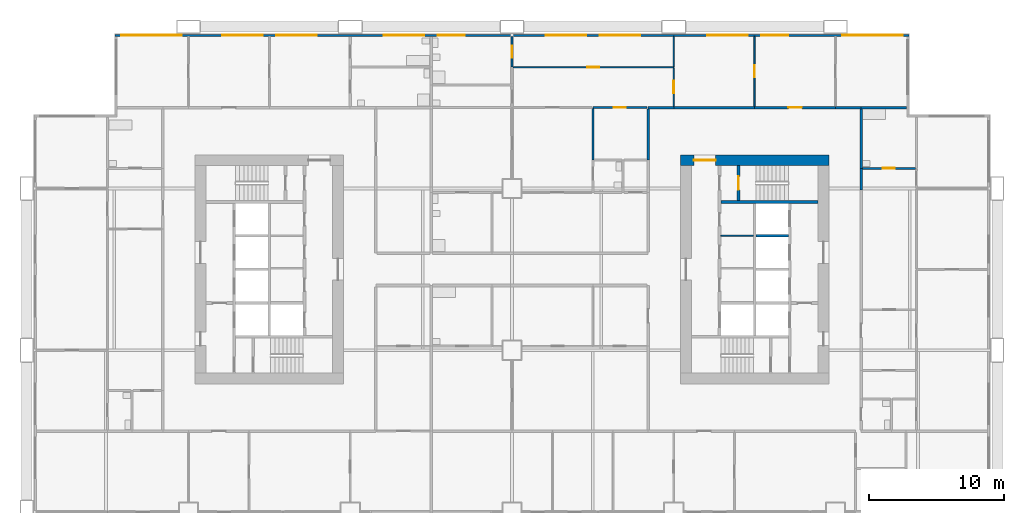
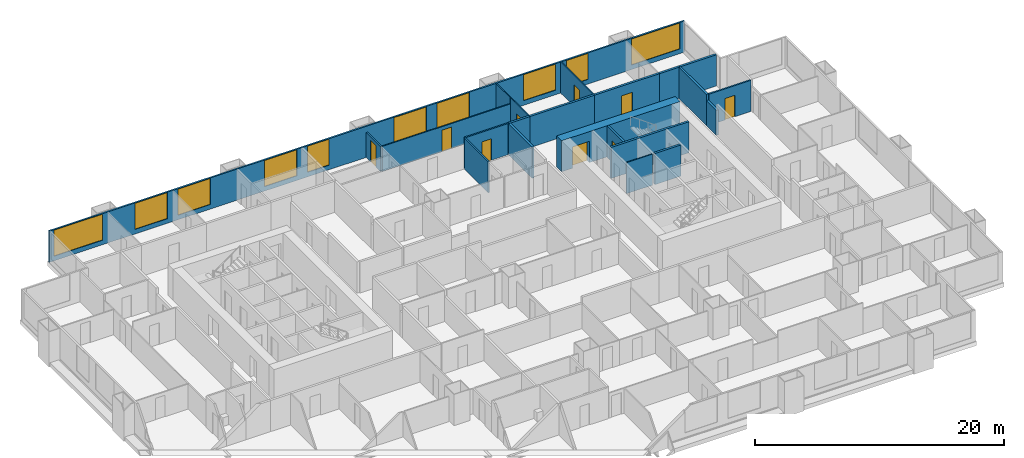
# One storey, part 9 of 13: 22 walls, 10 windows, 9 doors, 19 openings.
"""IFC4 building model written with IfcOpenShell, lengths in metres."""

from ifc_helpers import new_model, si_unit, direction, frame, frame_2d, origin, place, context, subcontext, project, spatial, rectangle, extrude, material, layer, layer_set, type_object, element, fill, save


model = new_model("IFC4")

# Units and contexts
model_context = context("Model", 3, precision=1e-05, world=origin(), true_north=direction((0.0, 1.0)))
body_context = subcontext(model_context, "Body", "Model", "MODEL_VIEW")
ifc_project = project(units=[si_unit("LENGTHUNIT", "METRE"), si_unit("AREAUNIT", "SQUARE_METRE"), si_unit("VOLUMEUNIT", "CUBIC_METRE"), si_unit("PLANEANGLEUNIT", "RADIAN"), si_unit("MASSUNIT", "GRAM", prefix="KILO")], contexts=[model_context])

# Site, building, storey
site_placement = place(None, origin())
site = spatial("IfcSite", under=ifc_project, at=site_placement, CompositionType="ELEMENT")
building_placement = place(site_placement, origin())
building = spatial("IfcBuilding", under=site, at=building_placement, Name="Kitamizu Gate Tower and Museum", CompositionType="ELEMENT")
storey_placement = place(building_placement, frame((0.0, 0.0, 47.25)))
storey = spatial("IfcBuildingStorey", under=building, at=storey_placement, Name="L10", CompositionType="ELEMENT", Elevation=47.25)

# Wall, opening, door
ifc_material_1 = material(Name="Concrete Fc60", Category="concrete")
ifc_layer_1 = layer(ifc_material_1, 0.800048828125)
ifc_layer_set_1 = layer_set([ifc_layer_1], Name="Concrete Fc60")
wall_type_1 = type_object("IfcWallType", Name="Core wall 800", PredefinedType="SHEAR", material=ifc_layer_set_1)
wall_1_placement = place(storey_placement, frame((59.5, 38.10009765625, 0.0), z_axis=(0.0, 0.0, 1.0), x_axis=(-1.0, 0.0, 0.0)))
wall_1 = element("IfcWall", 1, at=wall_1_placement, inside=storey, type_object=wall_type_1, Name="Core wall EN", PredefinedType="SHEAR", context=body_context, shape_type="SweptSolid", body=[
    extrude(rectangle(XDim=11.0, YDim=0.800048828125, at=frame_2d((5.5, 0.0))), origin(), (0.0, 0.0, 1.0), 3.050048828125),
])
opening_1_placement = place(wall_1_placement, frame((8.39990234375, 0.0, 0.0)))
opening_1 = element("IfcOpeningElement", 2, at=opening_1_placement, cuts=wall_1, Name="Opening L10-098", PredefinedType="OPENING", context=body_context, shape_type="SweptSolid", body=[
    extrude(rectangle(XDim=1.60009765625, YDim=2.10009765625, at=frame_2d((0.800048828125, 1.050048828125))), frame((0.0, 0.41015625, 0.0), z_axis=(0.0, -1.0, 0.0), x_axis=(1.0, 0.0, 0.0)), (0.0, 0.0, 1.0), 0.820068359375),
])
ifc_material_2 = material(Name="Timber door set", Category="wood")
door_type_1 = type_object("IfcDoorType", Name="Entrance door 1600", OperationType="DOUBLE_DOOR_SINGLE_SWING", PredefinedType="DOOR", material=ifc_material_2)
door_1_placement = place(opening_1_placement, origin())
door_1 = element("IfcDoor", 3, at=door_1_placement, inside=storey, type_object=door_type_1, Name="Lobby door L10-098", OperationType="DOUBLE_DOOR_SINGLE_SWING", OverallHeight=2.10009765625, OverallWidth=1.60009765625, PredefinedType="DOOR", context=body_context, shape_type="SweptSolid", body=[
    extrude(rectangle(XDim=1.60009765625, YDim=2.10009765625, at=frame_2d((0.800048828125, 1.050048828125))), frame((0.0, 0.02490234375, 0.0), z_axis=(0.0, -1.0, 0.0), x_axis=(1.0, 0.0, 0.0)), (0.0, 0.0, 1.0), 0.050048828125),
])
fill(opening_1, door_1)

# Wall
ifc_material_3 = material(Name="Gypsum board on galvanised stud")
ifc_layer_2 = layer(ifc_material_3, 0.10009765625)
ifc_layer_set_2 = layer_set([ifc_layer_2], Name="Gypsum board on galvanised stud")
wall_type_2 = type_object("IfcWallType", Name="Partition 100", PredefinedType="PARTITIONING", material=ifc_layer_set_2)
wall_2_placement = place(storey_placement, frame((53.89990234375, 32.490966796875, 0.0), z_axis=(0.0, 0.0, 1.0), x_axis=(-1.0, 0.0, 0.0)))
element("IfcWall", 4, at=wall_2_placement, inside=storey, type_object=wall_type_2, Name="Partition EPF2", PredefinedType="PARTITIONING", context=body_context, shape_type="SweptSolid", body=[
    extrude(rectangle(XDim=2.39990234375, YDim=0.10009765625, at=frame_2d((1.199951171875, 0.0))), origin(), (0.0, 0.0, 1.0), 3.050048828125),
])

# Wall, opening, door
ifc_material_4 = material(Name="Gypsum board on galvanised stud")
ifc_layer_3 = layer(ifc_material_4, 0.10009765625)
ifc_layer_set_3 = layer_set([ifc_layer_3], Name="Gypsum board on galvanised stud")
wall_type_3 = type_object("IfcWallType", Name="Partition 100 NOT RATED", PredefinedType="PARTITIONING", material=ifc_layer_set_3)
wall_3_placement = place(storey_placement, frame((48.0, 45.0, 0.0), z_axis=(0.0, 0.0, 1.0), x_axis=(-1.0, 0.0, 0.0)))
wall_3 = element("IfcWall", 5, at=wall_3_placement, inside=storey, type_object=wall_type_3, Name="Partition L10-158", PredefinedType="PARTITIONING", context=body_context, shape_type="SweptSolid", body=[
    extrude(rectangle(XDim=11.925048828125, YDim=0.10009765625, at=frame_2d((5.96240234375, 0.0))), origin(), (0.0, 0.0, 1.0), 2.449951171875),
])
opening_2_placement = place(wall_3_placement, frame((5.512451171875, 0.0, 0.0)))
opening_2 = element("IfcOpeningElement", 6, at=opening_2_placement, cuts=wall_3, Name="Opening L10-059", PredefinedType="OPENING", context=body_context, shape_type="SweptSolid", body=[
    extrude(rectangle(XDim=0.89990234375, YDim=2.10009765625, at=frame_2d((0.449951171875, 1.050048828125))), frame((0.0, 0.06005859375, 0.0), z_axis=(0.0, -1.0, 0.0), x_axis=(1.0, 0.0, 0.0)), (0.0, 0.0, 1.0), 0.1201171875),
])
ifc_material_5 = material(Name="Timber door set", Category="wood")
door_type_2 = type_object("IfcDoorType", Name="Room door 900", OperationType="NOTDEFINED", PredefinedType="DOOR", material=ifc_material_5)
door_2_placement = place(opening_2_placement, frame((0.89990234375, 0.0, 0.0), x_axis=(-1.0, 0.0, 0.0)))
door_2 = element("IfcDoor", 7, at=door_2_placement, inside=storey, type_object=door_type_2, Name="Door L10-059", OperationType="SINGLE_SWING_LEFT", OverallHeight=2.10009765625, OverallWidth=0.89990234375, PredefinedType="DOOR", context=body_context, shape_type="SweptSolid", body=[
    extrude(rectangle(XDim=0.89990234375, YDim=2.10009765625, at=frame_2d((0.449951171875, 1.050048828125))), frame((0.0, 0.02490234375, 0.0), z_axis=(0.0, -1.0, 0.0), x_axis=(1.0, 0.0, 0.0)), (0.0, 0.0, 1.0), 0.050048828125),
])
fill(opening_2, door_2)

wall_4_placement = place(storey_placement, frame((48.0, 42.10009765625, 0.0), z_axis=(0.0, 0.0, 1.0), x_axis=(0.0, 1.0, 0.0)))
wall_4 = element("IfcWall", 8, at=wall_4_placement, inside=storey, type_object=wall_type_3, Name="Partition L10-159", PredefinedType="PARTITIONING", context=body_context, shape_type="SweptSolid", body=[
    extrude(rectangle(XDim=2.849853515625, YDim=0.10009765625, at=frame_2d((1.4248046875, 0.0))), origin(), (0.0, 0.0, 1.0), 3.050048828125),
])
opening_3_placement = place(wall_4_placement, frame((0.97509765625, 0.0, 0.0)))
opening_3 = element("IfcOpeningElement", 9, at=opening_3_placement, cuts=wall_4, Name="Opening L10-058", PredefinedType="OPENING", context=body_context, shape_type="SweptSolid", body=[
    extrude(rectangle(XDim=0.89990234375, YDim=2.10009765625, at=frame_2d((0.449951171875, 1.050048828125))), frame((0.0, 0.06005859375, 0.0), z_axis=(0.0, -1.0, 0.0), x_axis=(1.0, 0.0, 0.0)), (0.0, 0.0, 1.0), 0.1201171875),
])
door_3_placement = place(opening_3_placement, frame((0.89990234375, 0.0, 0.0), x_axis=(-1.0, 0.0, 0.0)))
door_3 = element("IfcDoor", 10, at=door_3_placement, inside=storey, type_object=door_type_2, Name="Door L10-058", OperationType="SINGLE_SWING_LEFT", OverallHeight=2.10009765625, OverallWidth=0.89990234375, PredefinedType="DOOR", context=body_context, shape_type="SweptSolid", body=[
    extrude(rectangle(XDim=0.89990234375, YDim=2.10009765625, at=frame_2d((0.449951171875, 1.050048828125))), frame((0.0, 0.02490234375, 0.0), z_axis=(0.0, -1.0, 0.0), x_axis=(1.0, 0.0, 0.0)), (0.0, 0.0, 1.0), 0.050048828125),
])
fill(opening_3, door_3)

# Wall
wall_5_placement = place(storey_placement, frame((48.0, 45.050048828125, 0.0), z_axis=(0.0, 0.0, 1.0), x_axis=(0.0, 1.0, 0.0)))
element("IfcWall", 11, at=wall_5_placement, inside=storey, type_object=wall_type_3, Name="Partition L10-163", PredefinedType="PARTITIONING", context=body_context, shape_type="SweptSolid", body=[
    extrude(rectangle(XDim=2.22998046875, YDim=0.10009765625, at=frame_2d((1.114990234375, 0.0))), origin(), (0.0, 0.0, 1.0), 3.050048828125),
])

# Wall, opening, door
wall_6_placement = place(storey_placement, frame((54.0, 42.10009765625, 0.0), z_axis=(0.0, 0.0, 1.0), x_axis=(0.0, 1.0, 0.0)))
wall_6 = element("IfcWall", 12, at=wall_6_placement, inside=storey, type_object=wall_type_3, Name="Partition L10-164", PredefinedType="PARTITIONING", context=body_context, shape_type="SweptSolid", body=[
    extrude(rectangle(XDim=5.179931640625, YDim=0.10009765625, at=frame_2d((2.58984375, 0.0))), origin(), (0.0, 0.0, 1.0), 3.050048828125),
])
opening_4_placement = place(wall_6_placement, frame((2.139892578125, 0.0, 0.0)))
opening_4 = element("IfcOpeningElement", 13, at=opening_4_placement, cuts=wall_6, Name="Opening L10-057", PredefinedType="OPENING", context=body_context, shape_type="SweptSolid", body=[
    extrude(rectangle(XDim=0.89990234375, YDim=2.10009765625, at=frame_2d((0.449951171875, 1.050048828125))), frame((0.0, 0.06005859375, 0.0), z_axis=(0.0, -1.0, 0.0), x_axis=(1.0, 0.0, 0.0)), (0.0, 0.0, 1.0), 0.1201171875),
])
door_4_placement = place(opening_4_placement, origin())
door_4 = element("IfcDoor", 14, at=door_4_placement, inside=storey, type_object=door_type_2, Name="Door L10-057", OperationType="SINGLE_SWING_LEFT", OverallHeight=2.10009765625, OverallWidth=0.89990234375, PredefinedType="DOOR", context=body_context, shape_type="SweptSolid", body=[
    extrude(rectangle(XDim=0.89990234375, YDim=2.10009765625, at=frame_2d((0.449951171875, 1.050048828125))), frame((0.0, 0.02490234375, 0.0), z_axis=(0.0, -1.0, 0.0), x_axis=(1.0, 0.0, 0.0)), (0.0, 0.0, 1.0), 0.050048828125),
])
fill(opening_4, door_4)

ifc_material_6 = material(Name="Gypsum board on galvanised stud")
ifc_layer_4 = layer(ifc_material_6, 0.14990234375)
ifc_layer_set_4 = layer_set([ifc_layer_4], Name="Gypsum board on galvanised stud")
wall_type_4 = type_object("IfcWallType", Name="Partition 150", PredefinedType="PARTITIONING", material=ifc_layer_set_4)
wall_7_placement = place(storey_placement, frame((36.0, 45.0, 0.0), z_axis=(0.0, 0.0, 1.0), x_axis=(0.0, 1.0, 0.0)))
wall_7 = element("IfcWall", 15, at=wall_7_placement, inside=storey, type_object=wall_type_4, Name="Partition L10-155", PredefinedType="PARTITIONING", context=body_context, shape_type="SweptSolid", body=[
    extrude(rectangle(XDim=2.280029296875, YDim=0.14990234375, at=frame_2d((1.14013671875, 0.0))), origin(), (0.0, 0.0, 1.0), 2.449951171875),
])
opening_5_placement = place(wall_7_placement, frame((0.68994140625, 0.0, 0.0)))
opening_5 = element("IfcOpeningElement", 16, at=opening_5_placement, cuts=wall_7, Name="Opening L10-064", PredefinedType="OPENING", context=body_context, shape_type="SweptSolid", body=[
    extrude(rectangle(XDim=0.89990234375, YDim=2.10009765625, at=frame_2d((0.449951171875, 1.050048828125))), frame((0.0, 0.0849609375, 0.0), z_axis=(0.0, -1.0, 0.0), x_axis=(1.0, 0.0, 0.0)), (0.0, 0.0, 1.0), 0.169921875),
])
ifc_material_7 = material(Name="Timber door set", Category="wood")
door_type_3 = type_object("IfcDoorType", Name="Bathroom door 900", OperationType="NOTDEFINED", PredefinedType="DOOR", material=ifc_material_7)
door_5_placement = place(opening_5_placement, origin())
door_5 = element("IfcDoor", 17, at=door_5_placement, inside=storey, type_object=door_type_3, Name="Bathroom door L10-064", OperationType="SINGLE_SWING_LEFT", OverallHeight=2.10009765625, OverallWidth=0.89990234375, PredefinedType="DOOR", context=body_context, shape_type="SweptSolid", body=[
    extrude(rectangle(XDim=0.89990234375, YDim=2.10009765625, at=frame_2d((0.449951171875, 1.050048828125))), frame((0.0, 0.02490234375, 0.0), z_axis=(0.0, -1.0, 0.0), x_axis=(1.0, 0.0, 0.0)), (0.0, 0.0, 1.0), 0.050048828125),
])
fill(opening_5, door_5)

wall_8_placement = place(storey_placement, frame((42.0, 42.0, 0.0), z_axis=(0.0, 0.0, 1.0), x_axis=(1.0, 0.0, 0.0)))
wall_8 = element("IfcWall", 18, at=wall_8_placement, inside=storey, type_object=wall_type_4, Name="Partition L10-161", PredefinedType="PARTITIONING", context=body_context, shape_type="SweptSolid", body=[
    extrude(rectangle(XDim=4.0, YDim=0.14990234375, at=frame_2d((2.0, 0.0))), origin(), (0.0, 0.0, 1.0), 3.050048828125),
])
opening_6_placement = place(wall_8_placement, frame((1.550048828125, 0.0, 0.0)))
opening_6 = element("IfcOpeningElement", 19, at=opening_6_placement, cuts=wall_8, Name="Opening L10-062", PredefinedType="OPENING", context=body_context, shape_type="SweptSolid", body=[
    extrude(rectangle(XDim=0.89990234375, YDim=2.10009765625, at=frame_2d((0.449951171875, 1.050048828125))), frame((0.0, 0.0849609375, 0.0), z_axis=(0.0, -1.0, 0.0), x_axis=(1.0, 0.0, 0.0)), (0.0, 0.0, 1.0), 0.169921875),
])
door_6_placement = place(opening_6_placement, frame((0.89990234375, 0.0, 0.0), x_axis=(-1.0, 0.0, 0.0)))
door_6 = element("IfcDoor", 20, at=door_6_placement, inside=storey, type_object=door_type_3, Name="Bathroom door L10-062", OperationType="SINGLE_SWING_LEFT", OverallHeight=2.10009765625, OverallWidth=0.89990234375, PredefinedType="DOOR", context=body_context, shape_type="SweptSolid", body=[
    extrude(rectangle(XDim=0.89990234375, YDim=2.10009765625, at=frame_2d((0.449951171875, 1.050048828125))), frame((0.0, 0.02490234375, 0.0), z_axis=(0.0, -1.0, 0.0), x_axis=(1.0, 0.0, 0.0)), (0.0, 0.0, 1.0), 0.050048828125),
])
fill(opening_6, door_6)

# Wall
wall_9_placement = place(storey_placement, frame((42.0, 38.10009765625, 0.0), z_axis=(0.0, 0.0, 1.0), x_axis=(0.0, 1.0, 0.0)))
element("IfcWall", 21, at=wall_9_placement, inside=storey, type_object=wall_type_4, Name="Partition L10-175", PredefinedType="PARTITIONING", context=body_context, shape_type="SweptSolid", body=[
    extrude(rectangle(XDim=3.824951171875, YDim=0.14990234375, at=frame_2d((1.91259765625, 0.0))), origin(), (0.0, 0.0, 1.0), 3.050048828125),
])

# Wall, opening, door
wall_10_placement = place(storey_placement, frame((65.925048828125, 37.5, 0.0), z_axis=(0.0, 0.0, 1.0), x_axis=(-1.0, 0.0, 0.0)))
wall_10 = element("IfcWall", 22, at=wall_10_placement, inside=storey, type_object=wall_type_4, Name="Partition L10-210", PredefinedType="PARTITIONING", context=body_context, shape_type="SweptSolid", body=[
    extrude(rectangle(XDim=3.925048828125, YDim=0.14990234375, at=frame_2d((1.96240234375, 0.0))), origin(), (0.0, 0.0, 1.0), 3.050048828125),
])
opening_7_placement = place(wall_10_placement, frame((1.512451171875, 0.0, 0.0)))
opening_7 = element("IfcOpeningElement", 23, at=opening_7_placement, cuts=wall_10, Name="Opening L10-076", PredefinedType="OPENING", context=body_context, shape_type="SweptSolid", body=[
    extrude(rectangle(XDim=0.89990234375, YDim=2.10009765625, at=frame_2d((0.449951171875, 1.050048828125))), frame((0.0, 0.0849609375, 0.0), z_axis=(0.0, -1.0, 0.0), x_axis=(1.0, 0.0, 0.0)), (0.0, 0.0, 1.0), 0.169921875),
])
door_7_placement = place(opening_7_placement, frame((0.89990234375, 0.0, 0.0), x_axis=(-1.0, 0.0, 0.0)))
door_7 = element("IfcDoor", 24, at=door_7_placement, inside=storey, type_object=door_type_3, Name="Bathroom door L10-076", OperationType="SINGLE_SWING_RIGHT", OverallHeight=2.10009765625, OverallWidth=0.89990234375, PredefinedType="DOOR", context=body_context, shape_type="SweptSolid", body=[
    extrude(rectangle(XDim=0.89990234375, YDim=2.10009765625, at=frame_2d((0.449951171875, 1.050048828125))), frame((0.0, 0.02490234375, 0.0), z_axis=(0.0, -1.0, 0.0), x_axis=(1.0, 0.0, 0.0)), (0.0, 0.0, 1.0), 0.050048828125),
])
fill(opening_7, door_7)

# Walls
ifc_material_8 = material(Name="Gypsum board on galvanised stud")
ifc_layer_5 = layer(ifc_material_8, 0.199951171875)
ifc_layer_set_5 = layer_set([ifc_layer_5], Name="Gypsum board on galvanised stud")
wall_type_5 = type_object("IfcWallType", Name="Partition 200", PredefinedType="PARTITIONING", material=ifc_layer_set_5)
wall_11_placement = place(storey_placement, frame((46.10009765625, 42.0, 0.0), z_axis=(0.0, 0.0, 1.0), x_axis=(1.0, 0.0, 0.0)))
element("IfcWall", 25, at=wall_11_placement, inside=storey, type_object=wall_type_5, Name="Partition L10-162", PredefinedType="PARTITIONING", context=body_context, shape_type="SweptSolid", body=[
    extrude(rectangle(XDim=1.89990234375, YDim=0.199951171875, at=frame_2d((0.949951171875, 0.0))), origin(), (0.0, 0.0, 1.0), 3.050048828125),
])
wall_12_placement = place(storey_placement, frame((48.0, 42.0, 0.0), z_axis=(0.0, 0.0, 1.0), x_axis=(1.0, 0.0, 0.0)))
element("IfcWall", 26, at=wall_12_placement, inside=storey, type_object=wall_type_5, Name="Partition L10-165", PredefinedType="PARTITIONING", context=body_context, shape_type="SweptSolid", body=[
    extrude(rectangle(XDim=6.0, YDim=0.199951171875, at=frame_2d((3.0, 0.0))), origin(), (0.0, 0.0, 1.0), 3.050048828125),
])

# Wall, opening, door
wall_13_placement = place(storey_placement, frame((54.0, 42.0, 0.0), z_axis=(0.0, 0.0, 1.0), x_axis=(1.0, 0.0, 0.0)))
wall_13 = element("IfcWall", 27, at=wall_13_placement, inside=storey, type_object=wall_type_5, Name="Partition L10-167", PredefinedType="PARTITIONING", context=body_context, shape_type="SweptSolid", body=[
    extrude(rectangle(XDim=6.0, YDim=0.199951171875, at=frame_2d((3.0, 0.0))), origin(), (0.0, 0.0, 1.0), 3.050048828125),
])
opening_8_placement = place(wall_13_placement, frame((2.5, 0.0, 0.0)))
opening_8 = element("IfcOpeningElement", 28, at=opening_8_placement, cuts=wall_13, Name="Opening L10-055", PredefinedType="OPENING", context=body_context, shape_type="SweptSolid", body=[
    extrude(rectangle(XDim=1.0, YDim=2.10009765625, at=frame_2d((0.5, 1.050048828125))), frame((0.0, 0.10986328125, 0.0), z_axis=(0.0, -1.0, 0.0), x_axis=(1.0, 0.0, 0.0)), (0.0, 0.0, 1.0), 0.219970703125),
])
ifc_material_9 = material(Name="Timber door set", Category="wood")
door_type_4 = type_object("IfcDoorType", Name="Flat entrance door 1000", OperationType="NOTDEFINED", PredefinedType="DOOR", material=ifc_material_9)
door_8_placement = place(opening_8_placement, origin())
door_8 = element("IfcDoor", 29, at=door_8_placement, inside=storey, type_object=door_type_4, Name="Flat entrance door L10-055", OperationType="SINGLE_SWING_LEFT", OverallHeight=2.10009765625, OverallWidth=1.0, PredefinedType="DOOR", context=body_context, shape_type="SweptSolid", body=[
    extrude(rectangle(XDim=1.0, YDim=2.10009765625, at=frame_2d((0.5, 1.050048828125))), frame((0.0, 0.02490234375, 0.0), z_axis=(0.0, -1.0, 0.0), x_axis=(1.0, 0.0, 0.0)), (0.0, 0.0, 1.0), 0.050048828125),
])
fill(opening_8, door_8)

# Walls
wall_14_placement = place(storey_placement, frame((61.89990234375, 42.0, 0.0), z_axis=(0.0, 0.0, 1.0), x_axis=(1.0, 0.0, 0.0)))
element("IfcWall", 30, at=wall_14_placement, inside=storey, type_object=wall_type_5, Name="Partition L10-168", PredefinedType="PARTITIONING", context=body_context, shape_type="SweptSolid", body=[
    extrude(rectangle(XDim=3.380126953125, YDim=0.199951171875, at=frame_2d((1.68994140625, 0.0))), origin(), (0.0, 0.0, 1.0), 3.050048828125),
])
wall_15_placement = place(storey_placement, frame((60.0, 42.0, 0.0), z_axis=(0.0, 0.0, 1.0), x_axis=(1.0, 0.0, 0.0)))
element("IfcWall", 31, at=wall_15_placement, inside=storey, type_object=wall_type_5, Name="Partition L10-169", PredefinedType="PARTITIONING", context=body_context, shape_type="SweptSolid", body=[
    extrude(rectangle(XDim=1.89990234375, YDim=0.199951171875, at=frame_2d((0.949951171875, 0.0))), origin(), (0.0, 0.0, 1.0), 3.050048828125),
])
wall_16_placement = place(storey_placement, frame((46.10009765625, 38.10009765625, 0.0), z_axis=(0.0, 0.0, 1.0), x_axis=(0.0, 1.0, 0.0)))
element("IfcWall", 32, at=wall_16_placement, inside=storey, type_object=wall_type_5, Name="Partition L10-185", PredefinedType="PARTITIONING", context=body_context, shape_type="SweptSolid", body=[
    extrude(rectangle(XDim=3.7998046875, YDim=0.199951171875, at=frame_2d((1.89990234375, 0.0))), origin(), (0.0, 0.0, 1.0), 3.050048828125),
])
wall_17_placement = place(storey_placement, frame((61.89990234375, 37.5, 0.0), z_axis=(0.0, 0.0, 1.0), x_axis=(0.0, -1.0, 0.0)))
element("IfcWall", 33, at=wall_17_placement, inside=storey, type_object=wall_type_5, Name="Partition L10-211", PredefinedType="PARTITIONING", context=body_context, shape_type="SweptSolid", body=[
    extrude(rectangle(XDim=1.60009765625, YDim=0.199951171875, at=frame_2d((0.800048828125, 0.0))), origin(), (0.0, 0.0, 1.0), 2.449951171875),
])
wall_18_placement = place(storey_placement, frame((61.89990234375, 41.89990234375, 0.0), z_axis=(0.0, 0.0, 1.0), x_axis=(0.0, -1.0, 0.0)))
element("IfcWall", 34, at=wall_18_placement, inside=storey, type_object=wall_type_5, Name="Partition L10-213", PredefinedType="PARTITIONING", context=body_context, shape_type="SweptSolid", body=[
    extrude(rectangle(XDim=4.39990234375, YDim=0.199951171875, at=frame_2d((2.199951171875, 0.0))), origin(), (0.0, 0.0, 1.0), 3.050048828125),
])
ifc_material_10 = material(Name="Concrete Fc42", Category="concrete")
ifc_layer_6 = layer(ifc_material_10, 0.199951171875)
ifc_layer_set_6 = layer_set([ifc_layer_6], Name="Concrete Fc42")
wall_type_6 = type_object("IfcWallType", Name="Shaft wall 200", PredefinedType="SOLIDWALL", material=ifc_layer_set_6)
wall_19_placement = place(storey_placement, frame((58.699951171875, 35.0, 0.0), z_axis=(0.0, 0.0, 1.0), x_axis=(-1.0, 0.0, 0.0)))
element("IfcWall", 35, at=wall_19_placement, inside=storey, type_object=wall_type_6, Name="Shaft wall ENB", PredefinedType="SOLIDWALL", context=body_context, shape_type="SweptSolid", body=[
    extrude(rectangle(XDim=7.199951171875, YDim=0.199951171875, at=frame_2d((3.60009765625, 0.0))), origin(), (0.0, 0.0, 1.0), 3.050048828125),
])

# Wall, opening, door
wall_20_placement = place(storey_placement, frame((52.800048828125, 35.10009765625, 0.0), z_axis=(0.0, 0.0, 1.0), x_axis=(0.0, 1.0, 0.0)))
wall_20 = element("IfcWall", 36, at=wall_20_placement, inside=storey, type_object=wall_type_6, Name="Shaft wall ENZ", PredefinedType="SOLIDWALL", context=body_context, shape_type="SweptSolid", body=[
    extrude(rectangle(XDim=2.599853515625, YDim=0.199951171875, at=frame_2d((1.2998046875, 0.0))), origin(), (0.0, 0.0, 1.0), 3.050048828125),
])
opening_9_placement = place(wall_20_placement, frame((0.800048828125, 0.0, 0.0)))
opening_9 = element("IfcOpeningElement", 37, at=opening_9_placement, cuts=wall_20, Name="Opening L10-094", PredefinedType="OPENING", context=body_context, shape_type="SweptSolid", body=[
    extrude(rectangle(XDim=1.0, YDim=2.10009765625, at=frame_2d((0.5, 1.050048828125))), frame((0.0, 0.10986328125, 0.0), z_axis=(0.0, -1.0, 0.0), x_axis=(1.0, 0.0, 0.0)), (0.0, 0.0, 1.0), 0.219970703125),
])
ifc_material_11 = material(Name="Hollow metal door set")
door_type_5 = type_object("IfcDoorType", Name="Fire door 1000", OperationType="NOTDEFINED", PredefinedType="DOOR", material=ifc_material_11)
door_9_placement = place(opening_9_placement, frame((1.0, 0.0, 0.0), x_axis=(-1.0, 0.0, 0.0)))
door_9 = element("IfcDoor", 38, at=door_9_placement, inside=storey, type_object=door_type_5, Name="Stair door L10-094", OperationType="SINGLE_SWING_LEFT", OverallHeight=2.10009765625, OverallWidth=1.0, PredefinedType="DOOR", context=body_context, shape_type="SweptSolid", body=[
    extrude(rectangle(XDim=1.0, YDim=2.10009765625, at=frame_2d((0.5, 1.050048828125))), frame((0.0, 0.02490234375, 0.0), z_axis=(0.0, -1.0, 0.0), x_axis=(1.0, 0.0, 0.0)), (0.0, 0.0, 1.0), 0.050048828125),
])
fill(opening_9, door_9)

# Wall
wall_21_placement = place(storey_placement, frame((56.5, 32.5, 0.0), z_axis=(0.0, 0.0, 1.0), x_axis=(-1.0, 0.0, 0.0)))
element("IfcWall", 39, at=wall_21_placement, inside=storey, type_object=wall_type_6, Name="Shaft wall EDVW2", PredefinedType="SOLIDWALL", context=body_context, shape_type="SweptSolid", body=[
    extrude(rectangle(XDim=2.39990234375, YDim=0.199951171875, at=frame_2d((1.199951171875, 0.0))), origin(), (0.0, 0.0, 1.0), 3.050048828125),
])

# Wall, openings, windows
ifc_material_12 = material(Name="Bronze anodised aluminium frame with insulated spandrel and tinted glass", Category="aluminium")
ifc_layer_7 = layer(ifc_material_12, 0.14990234375)
ifc_layer_set_7 = layer_set([ifc_layer_7], Name="Bronze anodised aluminium frame with insulated spandrel and tinted glass")
wall_type_7 = type_object("IfcWallType", Name="WINDOW WALL 150 BRONZE FRAME EI 30", PredefinedType="ELEMENTEDWALL", material=ifc_layer_set_7)
wall_22_placement = place(storey_placement, frame((6.56005859375, 47.364990234375, 0.0), z_axis=(0.0, 0.0, 1.0), x_axis=(1.0, 0.0, 0.0)))
wall_22 = element("IfcWall", 40, at=wall_22_placement, inside=storey, type_object=wall_type_7, Name="Window wall north L10", PredefinedType="ELEMENTEDWALL", context=body_context, shape_type="SweptSolid", body=[
    extrude(rectangle(XDim=58.8798828125, YDim=0.14990234375, at=frame_2d((29.43994140625, 0.0))), origin(), (0.0, 0.0, 1.0), 3.050048828125),
])
opening_10_placement = place(wall_22_placement, frame((0.43994140625, 0.0, 0.449951171875)))
opening_10 = element("IfcOpeningElement", 41, at=opening_10_placement, cuts=wall_22, Name="Opening W15", PredefinedType="OPENING", context=body_context, shape_type="SweptSolid", body=[
    extrude(rectangle(XDim=4.5, YDim=2.550048828125, at=frame_2d((2.25, 1.27490234375))), frame((0.0, 0.0849609375, 0.0), z_axis=(0.0, -1.0, 0.0), x_axis=(1.0, 0.0, 0.0)), (0.0, 0.0, 1.0), 0.169921875),
])
opening_11_placement = place(wall_22_placement, frame((7.93994140625, 0.0, 0.449951171875)))
opening_11 = element("IfcOpeningElement", 42, at=opening_11_placement, cuts=wall_22, Name="Opening W33", PredefinedType="OPENING", context=body_context, shape_type="SweptSolid", body=[
    extrude(rectangle(XDim=3.0, YDim=2.550048828125, at=frame_2d((1.5, 1.27490234375))), frame((0.0, 0.0849609375, 0.0), z_axis=(0.0, -1.0, 0.0), x_axis=(1.0, 0.0, 0.0)), (0.0, 0.0, 1.0), 0.169921875),
])
opening_12_placement = place(wall_22_placement, frame((11.93994140625, 0.0, 0.449951171875)))
opening_12 = element("IfcOpeningElement", 43, at=opening_12_placement, cuts=wall_22, Name="Opening W33", PredefinedType="OPENING", context=body_context, shape_type="SweptSolid", body=[
    extrude(rectangle(XDim=3.0, YDim=2.550048828125, at=frame_2d((1.5, 1.27490234375))), frame((0.0, 0.0849609375, 0.0), z_axis=(0.0, -1.0, 0.0), x_axis=(1.0, 0.0, 0.0)), (0.0, 0.0, 1.0), 0.169921875),
])
opening_13_placement = place(wall_22_placement, frame((19.93994140625, 0.0, 0.449951171875)))
opening_13 = element("IfcOpeningElement", 44, at=opening_13_placement, cuts=wall_22, Name="Opening W33", PredefinedType="OPENING", context=body_context, shape_type="SweptSolid", body=[
    extrude(rectangle(XDim=3.0, YDim=2.550048828125, at=frame_2d((1.5, 1.27490234375))), frame((0.0, 0.0849609375, 0.0), z_axis=(0.0, -1.0, 0.0), x_axis=(1.0, 0.0, 0.0)), (0.0, 0.0, 1.0), 0.169921875),
])
opening_14_placement = place(wall_22_placement, frame((23.93994140625, 0.0, 0.449951171875)))
opening_14 = element("IfcOpeningElement", 45, at=opening_14_placement, cuts=wall_22, Name="Opening W2", PredefinedType="OPENING", context=body_context, shape_type="SweptSolid", body=[
    extrude(rectangle(XDim=2.0, YDim=2.550048828125, at=frame_2d((1.0, 1.27490234375))), frame((0.0, 0.0849609375, 0.0), z_axis=(0.0, -1.0, 0.0), x_axis=(1.0, 0.0, 0.0)), (0.0, 0.0, 1.0), 0.169921875),
])
opening_15_placement = place(wall_22_placement, frame((31.93994140625, 0.0, 0.449951171875)))
opening_15 = element("IfcOpeningElement", 46, at=opening_15_placement, cuts=wall_22, Name="Opening W33", PredefinedType="OPENING", context=body_context, shape_type="SweptSolid", body=[
    extrude(rectangle(XDim=3.0, YDim=2.550048828125, at=frame_2d((1.5, 1.27490234375))), frame((0.0, 0.0849609375, 0.0), z_axis=(0.0, -1.0, 0.0), x_axis=(1.0, 0.0, 0.0)), (0.0, 0.0, 1.0), 0.169921875),
])
opening_16_placement = place(wall_22_placement, frame((35.93994140625, 0.0, 0.449951171875)))
opening_16 = element("IfcOpeningElement", 47, at=opening_16_placement, cuts=wall_22, Name="Opening W33", PredefinedType="OPENING", context=body_context, shape_type="SweptSolid", body=[
    extrude(rectangle(XDim=3.0, YDim=2.550048828125, at=frame_2d((1.5, 1.27490234375))), frame((0.0, 0.0849609375, 0.0), z_axis=(0.0, -1.0, 0.0), x_axis=(1.0, 0.0, 0.0)), (0.0, 0.0, 1.0), 0.169921875),
])
opening_17_placement = place(wall_22_placement, frame((43.93994140625, 0.0, 0.449951171875)))
opening_17 = element("IfcOpeningElement", 48, at=opening_17_placement, cuts=wall_22, Name="Opening W33", PredefinedType="OPENING", context=body_context, shape_type="SweptSolid", body=[
    extrude(rectangle(XDim=3.0, YDim=2.550048828125, at=frame_2d((1.5, 1.27490234375))), frame((0.0, 0.0849609375, 0.0), z_axis=(0.0, -1.0, 0.0), x_axis=(1.0, 0.0, 0.0)), (0.0, 0.0, 1.0), 0.169921875),
])
opening_18_placement = place(wall_22_placement, frame((47.93994140625, 0.0, 0.449951171875)))
opening_18 = element("IfcOpeningElement", 49, at=opening_18_placement, cuts=wall_22, Name="Opening W2", PredefinedType="OPENING", context=body_context, shape_type="SweptSolid", body=[
    extrude(rectangle(XDim=2.0, YDim=2.550048828125, at=frame_2d((1.0, 1.27490234375))), frame((0.0, 0.0849609375, 0.0), z_axis=(0.0, -1.0, 0.0), x_axis=(1.0, 0.0, 0.0)), (0.0, 0.0, 1.0), 0.169921875),
])
opening_19_placement = place(wall_22_placement, frame((53.93994140625, 0.0, 0.449951171875)))
opening_19 = element("IfcOpeningElement", 50, at=opening_19_placement, cuts=wall_22, Name="Opening W15", PredefinedType="OPENING", context=body_context, shape_type="SweptSolid", body=[
    extrude(rectangle(XDim=4.5, YDim=2.550048828125, at=frame_2d((2.25, 1.27490234375))), frame((0.0, 0.0849609375, 0.0), z_axis=(0.0, -1.0, 0.0), x_axis=(1.0, 0.0, 0.0)), (0.0, 0.0, 1.0), 0.169921875),
])
ifc_material_13 = material(Name="Bronze anodised aluminium frame, tinted triple glazing", Category="aluminium")
window_type_1 = type_object("IfcWindowType", Name="WINDOW 2000 x 2550 SILL 450", PartitioningType="SINGLE_PANEL", PredefinedType="WINDOW", material=ifc_material_13)
window_1_placement = place(opening_14_placement, origin())
window_1 = element("IfcWindow", 51, at=window_1_placement, inside=storey, type_object=window_type_1, Name="Window W2 L10", OverallHeight=2.550048828125, OverallWidth=2.0, PartitioningType="SINGLE_PANEL", PredefinedType="WINDOW", context=body_context, shape_type="SweptSolid", body=[
    extrude(rectangle(XDim=2.0, YDim=2.550048828125, at=frame_2d((1.0, 1.27490234375))), frame((0.0, 0.030029296875, 0.0), z_axis=(0.0, -1.0, 0.0), x_axis=(1.0, 0.0, 0.0)), (0.0, 0.0, 1.0), 0.06005859375),
])
fill(opening_14, window_1)
window_2_placement = place(opening_18_placement, origin())
window_2 = element("IfcWindow", 52, at=window_2_placement, inside=storey, type_object=window_type_1, Name="Window W2 L10", OverallHeight=2.550048828125, OverallWidth=2.0, PartitioningType="SINGLE_PANEL", PredefinedType="WINDOW", context=body_context, shape_type="SweptSolid", body=[
    extrude(rectangle(XDim=2.0, YDim=2.550048828125, at=frame_2d((1.0, 1.27490234375))), frame((0.0, 0.030029296875, 0.0), z_axis=(0.0, -1.0, 0.0), x_axis=(1.0, 0.0, 0.0)), (0.0, 0.0, 1.0), 0.06005859375),
])
fill(opening_18, window_2)
ifc_material_14 = material(Name="Bronze anodised aluminium frame, tinted triple glazing", Category="aluminium")
window_type_2 = type_object("IfcWindowType", Name="WINDOW 3000 x 2550 SILL 450", PartitioningType="SINGLE_PANEL", PredefinedType="WINDOW", material=ifc_material_14)
window_3_placement = place(opening_11_placement, origin())
window_3 = element("IfcWindow", 53, at=window_3_placement, inside=storey, type_object=window_type_2, Name="Window W33 L10", OverallHeight=2.550048828125, OverallWidth=3.0, PartitioningType="SINGLE_PANEL", PredefinedType="WINDOW", context=body_context, shape_type="SweptSolid", body=[
    extrude(rectangle(XDim=3.0, YDim=2.550048828125, at=frame_2d((1.5, 1.27490234375))), frame((0.0, 0.030029296875, 0.0), z_axis=(0.0, -1.0, 0.0), x_axis=(1.0, 0.0, 0.0)), (0.0, 0.0, 1.0), 0.06005859375),
])
fill(opening_11, window_3)
window_4_placement = place(opening_12_placement, origin())
window_4 = element("IfcWindow", 54, at=window_4_placement, inside=storey, type_object=window_type_2, Name="Window W33 L10", OverallHeight=2.550048828125, OverallWidth=3.0, PartitioningType="SINGLE_PANEL", PredefinedType="WINDOW", context=body_context, shape_type="SweptSolid", body=[
    extrude(rectangle(XDim=3.0, YDim=2.550048828125, at=frame_2d((1.5, 1.27490234375))), frame((0.0, 0.030029296875, 0.0), z_axis=(0.0, -1.0, 0.0), x_axis=(1.0, 0.0, 0.0)), (0.0, 0.0, 1.0), 0.06005859375),
])
fill(opening_12, window_4)
window_5_placement = place(opening_13_placement, origin())
window_5 = element("IfcWindow", 55, at=window_5_placement, inside=storey, type_object=window_type_2, Name="Window W33 L10", OverallHeight=2.550048828125, OverallWidth=3.0, PartitioningType="SINGLE_PANEL", PredefinedType="WINDOW", context=body_context, shape_type="SweptSolid", body=[
    extrude(rectangle(XDim=3.0, YDim=2.550048828125, at=frame_2d((1.5, 1.27490234375))), frame((0.0, 0.030029296875, 0.0), z_axis=(0.0, -1.0, 0.0), x_axis=(1.0, 0.0, 0.0)), (0.0, 0.0, 1.0), 0.06005859375),
])
fill(opening_13, window_5)
window_6_placement = place(opening_15_placement, origin())
window_6 = element("IfcWindow", 56, at=window_6_placement, inside=storey, type_object=window_type_2, Name="Window W33 L10", OverallHeight=2.550048828125, OverallWidth=3.0, PartitioningType="SINGLE_PANEL", PredefinedType="WINDOW", context=body_context, shape_type="SweptSolid", body=[
    extrude(rectangle(XDim=3.0, YDim=2.550048828125, at=frame_2d((1.5, 1.27490234375))), frame((0.0, 0.030029296875, 0.0), z_axis=(0.0, -1.0, 0.0), x_axis=(1.0, 0.0, 0.0)), (0.0, 0.0, 1.0), 0.06005859375),
])
fill(opening_15, window_6)
window_7_placement = place(opening_16_placement, origin())
window_7 = element("IfcWindow", 57, at=window_7_placement, inside=storey, type_object=window_type_2, Name="Window W33 L10", OverallHeight=2.550048828125, OverallWidth=3.0, PartitioningType="SINGLE_PANEL", PredefinedType="WINDOW", context=body_context, shape_type="SweptSolid", body=[
    extrude(rectangle(XDim=3.0, YDim=2.550048828125, at=frame_2d((1.5, 1.27490234375))), frame((0.0, 0.030029296875, 0.0), z_axis=(0.0, -1.0, 0.0), x_axis=(1.0, 0.0, 0.0)), (0.0, 0.0, 1.0), 0.06005859375),
])
fill(opening_16, window_7)
window_8_placement = place(opening_17_placement, origin())
window_8 = element("IfcWindow", 58, at=window_8_placement, inside=storey, type_object=window_type_2, Name="Window W33 L10", OverallHeight=2.550048828125, OverallWidth=3.0, PartitioningType="SINGLE_PANEL", PredefinedType="WINDOW", context=body_context, shape_type="SweptSolid", body=[
    extrude(rectangle(XDim=3.0, YDim=2.550048828125, at=frame_2d((1.5, 1.27490234375))), frame((0.0, 0.030029296875, 0.0), z_axis=(0.0, -1.0, 0.0), x_axis=(1.0, 0.0, 0.0)), (0.0, 0.0, 1.0), 0.06005859375),
])
fill(opening_17, window_8)
ifc_material_15 = material(Name="Bronze anodised aluminium frame, tinted triple glazing", Category="aluminium")
window_type_3 = type_object("IfcWindowType", Name="WINDOW 4500 x 2550 SILL 450", PartitioningType="SINGLE_PANEL", PredefinedType="WINDOW", material=ifc_material_15)
window_9_placement = place(opening_10_placement, origin())
window_9 = element("IfcWindow", 59, at=window_9_placement, inside=storey, type_object=window_type_3, Name="Window W15 L10", OverallHeight=2.550048828125, OverallWidth=4.5, PartitioningType="SINGLE_PANEL", PredefinedType="WINDOW", context=body_context, shape_type="SweptSolid", body=[
    extrude(rectangle(XDim=4.5, YDim=2.550048828125, at=frame_2d((2.25, 1.27490234375))), frame((0.0, 0.030029296875, 0.0), z_axis=(0.0, -1.0, 0.0), x_axis=(1.0, 0.0, 0.0)), (0.0, 0.0, 1.0), 0.06005859375),
])
fill(opening_10, window_9)
window_10_placement = place(opening_19_placement, origin())
window_10 = element("IfcWindow", 60, at=window_10_placement, inside=storey, type_object=window_type_3, Name="Window W15 L10", OverallHeight=2.550048828125, OverallWidth=4.5, PartitioningType="SINGLE_PANEL", PredefinedType="WINDOW", context=body_context, shape_type="SweptSolid", body=[
    extrude(rectangle(XDim=4.5, YDim=2.550048828125, at=frame_2d((2.25, 1.27490234375))), frame((0.0, 0.030029296875, 0.0), z_axis=(0.0, -1.0, 0.0), x_axis=(1.0, 0.0, 0.0)), (0.0, 0.0, 1.0), 0.06005859375),
])
fill(opening_19, window_10)

save(model, "model.ifc")
